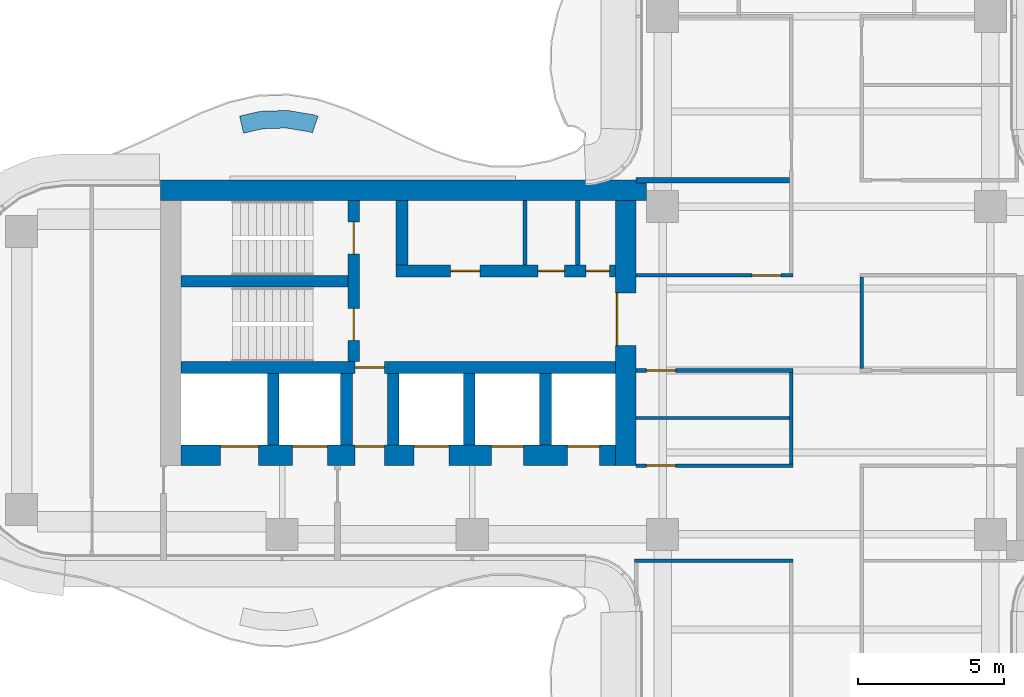
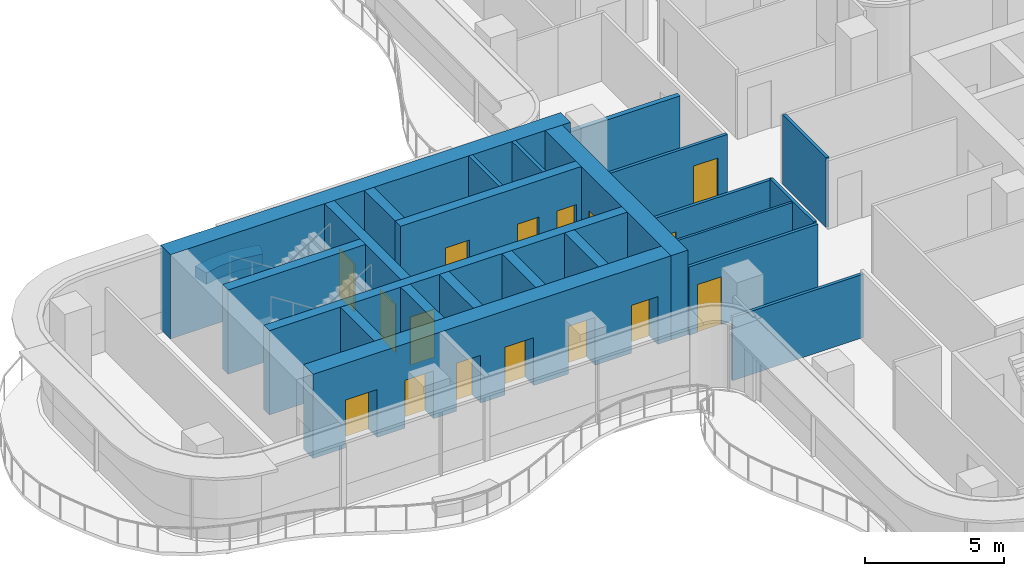
# One storey, part 11 of 16: 24 walls, 16 doors, 16 openings.
"""IFC4 building model written with IfcOpenShell, lengths in metres."""

from ifc_helpers import new_model, si_unit, direction, frame, frame_2d, origin, place, context, subcontext, project, spatial, polyline, rectangle, outline, extrude, source, transform, mapped, material, layer, layer_set, type_object, element, fill, save


model = new_model("IFC4")

# Units and contexts
model_context = context("Model", 3, precision=1e-05, world=origin(), true_north=direction((0.0, 1.0)))
body_context = subcontext(model_context, "Body", "Model", "MODEL_VIEW")
ifc_project = project(units=[si_unit("LENGTHUNIT", "METRE"), si_unit("AREAUNIT", "SQUARE_METRE"), si_unit("VOLUMEUNIT", "CUBIC_METRE"), si_unit("PLANEANGLEUNIT", "RADIAN"), si_unit("MASSUNIT", "GRAM", prefix="KILO")], contexts=[model_context])

# Site, building, storey
site_placement = place(None, origin())
site = spatial("IfcSite", under=ifc_project, at=site_placement, CompositionType="ELEMENT")
building_placement = place(site_placement, origin())
building = spatial("IfcBuilding", under=site, at=building_placement, Name="Trellis Farm Tower", CompositionType="ELEMENT")
storey_placement = place(building_placement, frame((0.0, 0.0, 251.89990234375)))
storey = spatial("IfcBuildingStorey", under=building, at=storey_placement, Name="L56", CompositionType="ELEMENT", Elevation=251.89990234375)

# Wall
ifc_material_1 = material(Name="Sandstone faced masonry planter", Category="masonry")
ifc_layer_1 = layer(ifc_material_1, 0.60009765625)
ifc_layer_set_1 = layer_set([ifc_layer_1], Name="PLANTER BED 600")
wall_type_1 = type_object("IfcWallType", Name="PLANTER BED 600", PredefinedType="USERDEFINED", material=ifc_layer_set_1)
wall_1_placement = place(storey_placement, origin())
element("IfcWall", 1, at=wall_1_placement, inside=storey, type_object=wall_type_1, Name="PLANTER bed", ObjectType="PLANTER", PredefinedType="USERDEFINED", context=body_context, shape_type="SweptSolid", body=[
    extrude(outline(polyline([(-19.339599609375, 8.85400390625), (-18.4169921875, 8.884521484375), (-17.521484375, 8.735595703125), (-17.368896484375, 8.684326171875), (-17.56005859375, 8.115478515625), (-17.667236328125, 8.151611328125), (-18.456787109375, 8.282958984375), (-19.262451171875, 8.256103515625), (-19.9169921875, 8.107421875), (-20.050048828125, 8.6923828125), (-19.339599609375, 8.85400390625)])), origin(), (0.0, 0.0, 1.0), 0.5),
])

# Wall, opening, door
ifc_material_2 = material(Name="Concrete C60/75", Category="concrete")
ifc_layer_2 = layer(ifc_material_2, 0.699951171875)
ifc_layer_set_2 = layer_set([ifc_layer_2], Name="CORE OUTER WALL 700 CONCRETE C60/75")
wall_type_2 = type_object("IfcWallType", Name="CORE OUTER WALL 700 CONCRETE C60/75", PredefinedType="SHEAR", material=ifc_layer_set_2)
shared_shape_1 = source(origin(), body_context, "Body", "SweptSolid", [
    extrude(rectangle(XDim=9.050048828125, YDim=0.699951171875, at=frame_2d((4.52490234375, 0.0))), origin(), (0.0, 0.0, 1.0), 3.7001953125),
])
wall_2_placement = place(storey_placement, frame((-6.85009765625, 5.800048828125, 0.0), z_axis=(0.0, 0.0, 1.0), x_axis=(0.0, -1.0, 0.0)))
wall_2 = element("IfcWall", 2, at=wall_2_placement, inside=storey, type_object=wall_type_2, Name="Core wall", PredefinedType="SHEAR", context=body_context, shape_type="MappedRepresentation", body=[
    mapped(shared_shape_1, transform((0.0, 0.0, 0.0))),
])
shared_shape_2 = source(origin(), body_context, "Body", "SweptSolid", [
    extrude(rectangle(XDim=1.800048828125, YDim=2.10009765625, at=frame_2d((0.89990234375, 1.050048828125))), frame((0.0, 0.360107421875, 0.0), z_axis=(0.0, -1.0, 0.0), x_axis=(1.0, 0.0, 0.0)), (0.0, 0.0, 1.0), 0.72021484375),
])
opening_1_placement = place(wall_2_placement, frame((3.14990234375, 0.0, 0.0)))
opening_1 = element("IfcOpeningElement", 3, at=opening_1_placement, cuts=wall_2, Name="Opening DC87", PredefinedType="OPENING", context=body_context, shape_type="MappedRepresentation", body=[
    mapped(shared_shape_2, transform((0.0, 0.0, 0.0))),
])
ifc_material_3 = material(Name="Steel", Category="steel")
door_type_1 = type_object("IfcDoorType", Name="CORE FIRE DOOR DOUBLE 1800 X 2100", OperationType="DOUBLE_DOOR_SINGLE_SWING", PredefinedType="DOOR", material=ifc_material_3)
shared_shape_3 = source(origin(), body_context, "Body", "SweptSolid", [
    extrude(rectangle(XDim=1.800048828125, YDim=2.10009765625, at=frame_2d((0.89990234375, 1.050048828125))), frame((0.0, -0.27490234375, 0.0), z_axis=(0.0, -1.0, 0.0), x_axis=(1.0, 0.0, 0.0)), (0.0, 0.0, 1.0), 0.050048828125),
])
door_1_placement = place(opening_1_placement, origin())
door_1 = element("IfcDoor", 4, at=door_1_placement, inside=storey, type_object=door_type_1, Name="Core door", OperationType="DOUBLE_DOOR_SINGLE_SWING", OverallHeight=2.10009765625, OverallWidth=1.800048828125, PredefinedType="DOOR", context=body_context, shape_type="MappedRepresentation", body=[
    mapped(shared_shape_3, transform((0.0, 0.0, 0.0))),
])
fill(opening_1, door_1)

# Walls
ifc_layer_3 = layer(ifc_material_2, 0.39990234375)
ifc_layer_set_3 = layer_set([ifc_layer_3], Name="CORE INNER WALL 400 CONCRETE C60/75")
wall_type_3 = type_object("IfcWallType", Name="CORE INNER WALL 400 CONCRETE C60/75", PredefinedType="SHEAR", material=ifc_layer_set_3)
shared_shape_4 = source(origin(), body_context, "Body", "SweptSolid", [
    extrude(rectangle(XDim=2.449951171875, YDim=0.39990234375, at=frame_2d((1.22509765625, 0.0))), origin(), (0.0, 0.0, 1.0), 3.7001953125),
])
for number, where, z_axis, x_axis, name in (
    (5, (-9.60009765625, -0.10009765625, 0.0), (0.0, 0.0, 1.0), (0.0, -1.0, 0.0), "Core wall"),
    (6, (-12.199951171875, -0.10009765625, 0.0), (0.0, 0.0, 1.0), (0.0, -1.0, 0.0), "Core wall"),
    (7, (-14.800048828125, -0.10009765625, 0.0), (0.0, 0.0, 1.0), (0.0, -1.0, 0.0), "Core wall"),
    (8, (-16.39990234375, -0.10009765625, 0.0), (0.0, 0.0, 1.0), (0.0, -1.0, 0.0), "Core wall"),
    (9, (-18.89990234375, -0.10009765625, 0.0), (0.0, 0.0, 1.0), (0.0, -1.0, 0.0), "Core wall"),
):
    element("IfcWall", number, at=place(storey_placement, frame(where, z_axis=z_axis, x_axis=x_axis)), inside=storey, type_object=wall_type_3, Name=name, PredefinedType="SHEAR", context=body_context, shape_type="MappedRepresentation", body=[
        mapped(shared_shape_4, transform((0.0, 0.0, 0.0))),
    ])

# Wall, openings, doors
shared_shape_5 = source(origin(), body_context, "Body", "SweptSolid", [
    extrude(rectangle(XDim=14.85009765625, YDim=0.699951171875, at=frame_2d((7.425048828125, 0.0))), origin(), (0.0, 0.0, 1.0), 3.7001953125),
])
wall_3_placement = place(storey_placement, frame((-7.199951171875, -2.89990234375, 0.0), z_axis=(0.0, 0.0, 1.0), x_axis=(-1.0, 0.0, 0.0)))
wall_3 = element("IfcWall", 10, at=wall_3_placement, inside=storey, type_object=wall_type_2, Name="Core wall", PredefinedType="SHEAR", context=body_context, shape_type="MappedRepresentation", body=[
    mapped(shared_shape_5, transform((0.0, 0.0, 0.0))),
])
shared_shape_6 = source(origin(), body_context, "Body", "SweptSolid", [
    extrude(rectangle(XDim=1.10009765625, YDim=2.10009765625, at=frame_2d((0.550048828125, 1.050048828125))), frame((0.0, 0.360107421875, 0.0), z_axis=(0.0, -1.0, 0.0), x_axis=(1.0, 0.0, 0.0)), (0.0, 0.0, 1.0), 0.72021484375),
])
opening_2_placement = place(wall_3_placement, frame((0.550048828125, 0.0, 0.0)))
opening_2 = element("IfcOpeningElement", 11, at=opening_2_placement, cuts=wall_3, Name="Opening LD12", PredefinedType="OPENING", context=body_context, shape_type="MappedRepresentation", body=[
    mapped(shared_shape_6, transform((0.0, 0.0, 0.0))),
])
opening_3_placement = place(wall_3_placement, frame((3.14990234375, 0.0, 0.0)))
opening_3 = element("IfcOpeningElement", 12, at=opening_3_placement, cuts=wall_3, Name="Opening LD13", PredefinedType="OPENING", context=body_context, shape_type="MappedRepresentation", body=[
    mapped(shared_shape_6, transform((0.0, 0.0, 0.0))),
])
shared_shape_7 = source(origin(), body_context, "Body", "SweptSolid", [
    extrude(rectangle(XDim=1.199951171875, YDim=2.10009765625, at=frame_2d((0.60009765625, 1.050048828125))), frame((0.0, 0.360107421875, 0.0), z_axis=(0.0, -1.0, 0.0), x_axis=(1.0, 0.0, 0.0)), (0.0, 0.0, 1.0), 0.72021484375),
])
opening_4_placement = place(wall_3_placement, frame((5.699951171875, 0.0, 0.0)))
opening_4 = element("IfcOpeningElement", 13, at=opening_4_placement, cuts=wall_3, Name="Opening LD14", PredefinedType="OPENING", context=body_context, shape_type="MappedRepresentation", body=[
    mapped(shared_shape_7, transform((0.0, 0.0, 0.0))),
])
shared_shape_8 = source(origin(), body_context, "Body", "SweptSolid", [
    extrude(rectangle(XDim=1.300048828125, YDim=2.10009765625, at=frame_2d((0.64990234375, 1.050048828125))), frame((0.0, 0.360107421875, 0.0), z_axis=(0.0, -1.0, 0.0), x_axis=(1.0, 0.0, 0.0)), (0.0, 0.0, 1.0), 0.72021484375),
])
opening_5_placement = place(wall_3_placement, frame((12.199951171875, 0.0, 0.0)))
opening_5 = element("IfcOpeningElement", 14, at=opening_5_placement, cuts=wall_3, Name="Opening LD15", PredefinedType="OPENING", context=body_context, shape_type="MappedRepresentation", body=[
    mapped(shared_shape_8, transform((0.0, 0.0, 0.0))),
])
opening_6_placement = place(wall_3_placement, frame((9.85009765625, 0.0, 0.0)))
opening_6 = element("IfcOpeningElement", 15, at=opening_6_placement, cuts=wall_3, Name="Opening LD16", PredefinedType="OPENING", context=body_context, shape_type="MappedRepresentation", body=[
    mapped(shared_shape_7, transform((0.0, 0.0, 0.0))),
])
shared_shape_9 = source(origin(), body_context, "Body", "SweptSolid", [
    extrude(rectangle(XDim=1.0, YDim=2.10009765625, at=frame_2d((0.5, 1.050048828125))), frame((0.0, 0.360107421875, 0.0), z_axis=(0.0, -1.0, 0.0), x_axis=(1.0, 0.0, 0.0)), (0.0, 0.0, 1.0), 0.72021484375),
])
opening_7_placement = place(wall_3_placement, frame((7.89990234375, 0.0, 0.0)))
opening_7 = element("IfcOpeningElement", 16, at=opening_7_placement, cuts=wall_3, Name="Opening DC92", PredefinedType="OPENING", context=body_context, shape_type="MappedRepresentation", body=[
    mapped(shared_shape_9, transform((0.0, 0.0, 0.0))),
])
door_type_2 = type_object("IfcDoorType", Name="CORE FIRE DOOR 1000 X 2100", OperationType="NOTDEFINED", PredefinedType="DOOR", material=ifc_material_3)
shared_shape_10 = source(origin(), body_context, "Body", "SweptSolid", [
    extrude(rectangle(XDim=1.0, YDim=2.10009765625, at=frame_2d((0.5, 1.050048828125))), frame((0.0, -0.27490234375, 0.0), z_axis=(0.0, -1.0, 0.0), x_axis=(1.0, 0.0, 0.0)), (0.0, 0.0, 1.0), 0.050048828125),
])
door_2_placement = place(opening_7_placement, origin())
door_2 = element("IfcDoor", 17, at=door_2_placement, inside=storey, type_object=door_type_2, Name="Core door", OperationType="SINGLE_SWING_LEFT", OverallHeight=2.10009765625, OverallWidth=1.0, PredefinedType="DOOR", context=body_context, shape_type="MappedRepresentation", body=[
    mapped(shared_shape_10, transform((0.0, 0.0, 0.0))),
])
fill(opening_7, door_2)
ifc_material_4 = material(Name="Stainless steel", Category="steel")
door_type_3 = type_object("IfcDoorType", Name="LIFT LANDING DOOR 1300 X 2100", OperationType="DOUBLE_DOOR_SLIDING", PredefinedType="DOOR", material=ifc_material_4)
shared_shape_11 = source(origin(), body_context, "Body", "SweptSolid", [
    extrude(rectangle(XDim=1.300048828125, YDim=2.10009765625, at=frame_2d((0.64990234375, 1.050048828125))), frame((0.0, -0.27490234375, 0.0), z_axis=(0.0, -1.0, 0.0), x_axis=(1.0, 0.0, 0.0)), (0.0, 0.0, 1.0), 0.050048828125),
])
door_3_placement = place(opening_5_placement, origin())
door_3 = element("IfcDoor", 18, at=door_3_placement, inside=storey, type_object=door_type_3, Name="Lift landing door", OperationType="DOUBLE_DOOR_SLIDING", OverallHeight=2.10009765625, OverallWidth=1.300048828125, PredefinedType="DOOR", context=body_context, shape_type="MappedRepresentation", body=[
    mapped(shared_shape_11, transform((0.0, 0.0, 0.0))),
])
fill(opening_5, door_3)
door_type_4 = type_object("IfcDoorType", Name="LIFT LANDING DOOR 1200 X 2100", OperationType="DOUBLE_DOOR_SLIDING", PredefinedType="DOOR", material=ifc_material_4)
shared_shape_12 = source(origin(), body_context, "Body", "SweptSolid", [
    extrude(rectangle(XDim=1.199951171875, YDim=2.10009765625, at=frame_2d((0.60009765625, 1.050048828125))), frame((0.0, -0.27490234375, 0.0), z_axis=(0.0, -1.0, 0.0), x_axis=(1.0, 0.0, 0.0)), (0.0, 0.0, 1.0), 0.050048828125),
])
door_4_placement = place(opening_4_placement, origin())
door_4 = element("IfcDoor", 19, at=door_4_placement, inside=storey, type_object=door_type_4, Name="Lift landing door", OperationType="DOUBLE_DOOR_SLIDING", OverallHeight=2.10009765625, OverallWidth=1.199951171875, PredefinedType="DOOR", context=body_context, shape_type="MappedRepresentation", body=[
    mapped(shared_shape_12, transform((0.0, 0.0, 0.0))),
])
fill(opening_4, door_4)
door_5_placement = place(opening_6_placement, origin())
door_5 = element("IfcDoor", 20, at=door_5_placement, inside=storey, type_object=door_type_4, Name="Lift landing door", OperationType="DOUBLE_DOOR_SLIDING", OverallHeight=2.10009765625, OverallWidth=1.199951171875, PredefinedType="DOOR", context=body_context, shape_type="MappedRepresentation", body=[
    mapped(shared_shape_12, transform((0.0, 0.0, 0.0))),
])
fill(opening_6, door_5)
door_type_5 = type_object("IfcDoorType", Name="LIFT LANDING DOOR 1100 X 2100", OperationType="DOUBLE_DOOR_SLIDING", PredefinedType="DOOR", material=ifc_material_4)
shared_shape_13 = source(origin(), body_context, "Body", "SweptSolid", [
    extrude(rectangle(XDim=1.10009765625, YDim=2.10009765625, at=frame_2d((0.550048828125, 1.050048828125))), frame((0.0, -0.27490234375, 0.0), z_axis=(0.0, -1.0, 0.0), x_axis=(1.0, 0.0, 0.0)), (0.0, 0.0, 1.0), 0.050048828125),
])
door_6_placement = place(opening_2_placement, origin())
door_6 = element("IfcDoor", 21, at=door_6_placement, inside=storey, type_object=door_type_5, Name="Lift landing door", OperationType="DOUBLE_DOOR_SLIDING", OverallHeight=2.10009765625, OverallWidth=1.10009765625, PredefinedType="DOOR", context=body_context, shape_type="MappedRepresentation", body=[
    mapped(shared_shape_13, transform((0.0, 0.0, 0.0))),
])
fill(opening_2, door_6)
door_7_placement = place(opening_3_placement, origin())
door_7 = element("IfcDoor", 22, at=door_7_placement, inside=storey, type_object=door_type_5, Name="Lift landing door", OperationType="DOUBLE_DOOR_SLIDING", OverallHeight=2.10009765625, OverallWidth=1.10009765625, PredefinedType="DOOR", context=body_context, shape_type="MappedRepresentation", body=[
    mapped(shared_shape_13, transform((0.0, 0.0, 0.0))),
])
fill(opening_3, door_7)

shared_shape_14 = source(origin(), body_context, "Body", "SweptSolid", [
    extrude(rectangle(XDim=7.5, YDim=0.39990234375, at=frame_2d((3.75, 0.0))), origin(), (0.0, 0.0, 1.0), 3.7001953125),
])
wall_4_placement = place(storey_placement, frame((-7.199951171875, 3.39990234375, 0.0), z_axis=(0.0, 0.0, 1.0), x_axis=(-1.0, 0.0, 0.0)))
wall_4 = element("IfcWall", 23, at=wall_4_placement, inside=storey, type_object=wall_type_3, Name="Core wall", PredefinedType="SHEAR", context=body_context, shape_type="MappedRepresentation", body=[
    mapped(shared_shape_14, transform((0.0, 0.0, 0.0))),
])
shared_shape_15 = source(origin(), body_context, "Body", "SweptSolid", [
    extrude(rectangle(XDim=0.800048828125, YDim=2.10009765625, at=frame_2d((0.39990234375, 1.050048828125))), frame((0.0, 0.2099609375, 0.0), z_axis=(0.0, -1.0, 0.0), x_axis=(1.0, 0.0, 0.0)), (0.0, 0.0, 1.0), 0.419921875),
])
opening_8_placement = place(wall_4_placement, frame((0.21240234375, 0.0, 0.0)))
opening_8 = element("IfcOpeningElement", 24, at=opening_8_placement, cuts=wall_4, Name="Opening DC137", PredefinedType="OPENING", context=body_context, shape_type="MappedRepresentation", body=[
    mapped(shared_shape_15, transform((0.0, 0.0, 0.0))),
])
shared_shape_16 = source(origin(), body_context, "Body", "SweptSolid", [
    extrude(rectangle(XDim=0.89990234375, YDim=2.10009765625, at=frame_2d((0.449951171875, 1.050048828125))), frame((0.0, 0.2099609375, 0.0), z_axis=(0.0, -1.0, 0.0), x_axis=(1.0, 0.0, 0.0)), (0.0, 0.0, 1.0), 0.419921875),
])
opening_9_placement = place(wall_4_placement, frame((1.75, 0.0, 0.0)))
opening_9 = element("IfcOpeningElement", 25, at=opening_9_placement, cuts=wall_4, Name="Opening DC146", PredefinedType="OPENING", context=body_context, shape_type="MappedRepresentation", body=[
    mapped(shared_shape_16, transform((0.0, 0.0, 0.0))),
])
shared_shape_17 = source(origin(), body_context, "Body", "SweptSolid", [
    extrude(rectangle(XDim=1.0, YDim=2.10009765625, at=frame_2d((0.5, 1.050048828125))), frame((0.0, 0.2099609375, 0.0), z_axis=(0.0, -1.0, 0.0), x_axis=(1.0, 0.0, 0.0)), (0.0, 0.0, 1.0), 0.419921875),
])
opening_10_placement = place(wall_4_placement, frame((4.637451171875, 0.0, 0.0)))
opening_10 = element("IfcOpeningElement", 26, at=opening_10_placement, cuts=wall_4, Name="Opening DC153", PredefinedType="OPENING", context=body_context, shape_type="MappedRepresentation", body=[
    mapped(shared_shape_17, transform((0.0, 0.0, 0.0))),
])
shared_shape_18 = source(origin(), body_context, "Body", "SweptSolid", [
    extrude(rectangle(XDim=1.0, YDim=2.10009765625, at=frame_2d((0.5, 1.050048828125))), frame((0.0, 0.02490234375, 0.0), z_axis=(0.0, -1.0, 0.0), x_axis=(1.0, 0.0, 0.0)), (0.0, 0.0, 1.0), 0.050048828125),
])
door_8_placement = place(opening_10_placement, origin())
door_8 = element("IfcDoor", 27, at=door_8_placement, inside=storey, type_object=door_type_2, Name="Core door", OperationType="SINGLE_SWING_LEFT", OverallHeight=2.10009765625, OverallWidth=1.0, PredefinedType="DOOR", context=body_context, shape_type="MappedRepresentation", body=[
    mapped(shared_shape_18, transform((0.0, 0.0, 0.0))),
])
fill(opening_10, door_8)
door_type_6 = type_object("IfcDoorType", Name="CORE FIRE DOOR 900 X 2100", OperationType="NOTDEFINED", PredefinedType="DOOR", material=ifc_material_3)
shared_shape_19 = source(origin(), body_context, "Body", "SweptSolid", [
    extrude(rectangle(XDim=0.89990234375, YDim=2.10009765625, at=frame_2d((0.449951171875, 1.050048828125))), frame((0.0, 0.02490234375, 0.0), z_axis=(0.0, -1.0, 0.0), x_axis=(1.0, 0.0, 0.0)), (0.0, 0.0, 1.0), 0.050048828125),
])
door_9_placement = place(opening_9_placement, origin())
door_9 = element("IfcDoor", 28, at=door_9_placement, inside=storey, type_object=door_type_6, Name="Core door", OperationType="SINGLE_SWING_RIGHT", OverallHeight=2.10009765625, OverallWidth=0.89990234375, PredefinedType="DOOR", context=body_context, shape_type="MappedRepresentation", body=[
    mapped(shared_shape_19, transform((0.0, 0.0, 0.0))),
])
fill(opening_9, door_9)
door_type_7 = type_object("IfcDoorType", Name="CORE FIRE DOOR 800 X 2100", OperationType="NOTDEFINED", PredefinedType="DOOR", material=ifc_material_3)
shared_shape_20 = source(origin(), body_context, "Body", "SweptSolid", [
    extrude(rectangle(XDim=0.800048828125, YDim=2.10009765625, at=frame_2d((0.39990234375, 1.050048828125))), frame((0.0, 0.02490234375, 0.0), z_axis=(0.0, -1.0, 0.0), x_axis=(1.0, 0.0, 0.0)), (0.0, 0.0, 1.0), 0.050048828125),
])
door_10_placement = place(opening_8_placement, origin())
door_10 = element("IfcDoor", 29, at=door_10_placement, inside=storey, type_object=door_type_7, Name="Core door", OperationType="SINGLE_SWING_LEFT", OverallHeight=2.10009765625, OverallWidth=0.800048828125, PredefinedType="DOOR", context=body_context, shape_type="MappedRepresentation", body=[
    mapped(shared_shape_20, transform((0.0, 0.0, 0.0))),
])
fill(opening_8, door_10)

# Wall, opening, door
shared_shape_21 = source(origin(), body_context, "Body", "SweptSolid", [
    extrude(rectangle(XDim=14.85009765625, YDim=0.39990234375, at=frame_2d((7.425048828125, 0.0))), origin(), (0.0, 0.0, 1.0), 3.7001953125),
])
wall_5_placement = place(storey_placement, frame((-7.199951171875, 0.10009765625, 0.0), z_axis=(0.0, 0.0, 1.0), x_axis=(-1.0, 0.0, 0.0)))
wall_5 = element("IfcWall", 30, at=wall_5_placement, inside=storey, type_object=wall_type_3, Name="Core wall", PredefinedType="SHEAR", context=body_context, shape_type="MappedRepresentation", body=[
    mapped(shared_shape_21, transform((0.0, 0.0, 0.0))),
])
opening_11_placement = place(wall_5_placement, frame((7.89990234375, 0.0, 0.0)))
opening_11 = element("IfcOpeningElement", 31, at=opening_11_placement, cuts=wall_5, Name="Opening DC91", PredefinedType="OPENING", context=body_context, shape_type="MappedRepresentation", body=[
    mapped(shared_shape_17, transform((0.0, 0.0, 0.0))),
])
door_11_placement = place(opening_11_placement, origin())
door_11 = element("IfcDoor", 32, at=door_11_placement, inside=storey, type_object=door_type_2, Name="Core door", OperationType="SINGLE_SWING_RIGHT", OverallHeight=2.10009765625, OverallWidth=1.0, PredefinedType="DOOR", context=body_context, shape_type="MappedRepresentation", body=[
    mapped(shared_shape_18, transform((0.0, 0.0, 0.0))),
])
fill(opening_11, door_11)

# Wall, openings, doors
shared_shape_22 = source(origin(), body_context, "Body", "SweptSolid", [
    extrude(rectangle(XDim=5.5, YDim=0.39990234375, at=frame_2d((2.75, 0.0))), origin(), (0.0, 0.0, 1.0), 3.7001953125),
])
wall_6_placement = place(storey_placement, frame((-16.14990234375, 5.800048828125, 0.0), z_axis=(0.0, 0.0, 1.0), x_axis=(0.0, -1.0, 0.0)))
wall_6 = element("IfcWall", 33, at=wall_6_placement, inside=storey, type_object=wall_type_3, Name="Core wall", PredefinedType="SHEAR", context=body_context, shape_type="MappedRepresentation", body=[
    mapped(shared_shape_22, transform((0.0, 0.0, 0.0))),
])
shared_shape_23 = source(origin(), body_context, "Body", "SweptSolid", [
    extrude(rectangle(XDim=1.10009765625, YDim=2.10009765625, at=frame_2d((0.550048828125, 1.050048828125))), frame((0.0, 0.2099609375, 0.0), z_axis=(0.0, -1.0, 0.0), x_axis=(1.0, 0.0, 0.0)), (0.0, 0.0, 1.0), 0.419921875),
])
opening_12_placement = place(wall_6_placement, frame((0.72509765625, 0.0, 0.0)))
opening_12 = element("IfcOpeningElement", 34, at=opening_12_placement, cuts=wall_6, Name="Opening DC88", PredefinedType="OPENING", context=body_context, shape_type="MappedRepresentation", body=[
    mapped(shared_shape_23, transform((0.0, 0.0, 0.0))),
])
opening_13_placement = place(wall_6_placement, frame((3.675048828125, 0.0, 0.0)))
opening_13 = element("IfcOpeningElement", 35, at=opening_13_placement, cuts=wall_6, Name="Opening DC89", PredefinedType="OPENING", context=body_context, shape_type="MappedRepresentation", body=[
    mapped(shared_shape_23, transform((0.0, 0.0, 0.0))),
])
door_type_8 = type_object("IfcDoorType", Name="CORE FIRE DOOR 1100 X 2100", OperationType="NOTDEFINED", PredefinedType="DOOR", material=ifc_material_3)
shared_shape_24 = source(origin(), body_context, "Body", "SweptSolid", [
    extrude(rectangle(XDim=1.10009765625, YDim=2.10009765625, at=frame_2d((0.550048828125, 1.050048828125))), frame((0.0, 0.02490234375, 0.0), z_axis=(0.0, -1.0, 0.0), x_axis=(1.0, 0.0, 0.0)), (0.0, 0.0, 1.0), 0.050048828125),
])
door_12_placement = place(opening_12_placement, origin())
door_12 = element("IfcDoor", 36, at=door_12_placement, inside=storey, type_object=door_type_8, Name="Core door", OperationType="SINGLE_SWING_RIGHT", OverallHeight=2.10009765625, OverallWidth=1.10009765625, PredefinedType="DOOR", context=body_context, shape_type="MappedRepresentation", body=[
    mapped(shared_shape_24, transform((0.0, 0.0, 0.0))),
])
fill(opening_12, door_12)
door_13_placement = place(opening_13_placement, origin())
door_13 = element("IfcDoor", 37, at=door_13_placement, inside=storey, type_object=door_type_8, Name="Core door", OperationType="SINGLE_SWING_LEFT", OverallHeight=2.10009765625, OverallWidth=1.10009765625, PredefinedType="DOOR", context=body_context, shape_type="MappedRepresentation", body=[
    mapped(shared_shape_24, transform((0.0, 0.0, 0.0))),
])
fill(opening_13, door_13)

# Walls
shared_shape_25 = source(origin(), body_context, "Body", "SweptSolid", [
    extrude(rectangle(XDim=5.699951171875, YDim=0.39990234375, at=frame_2d((2.85009765625, 0.0))), origin(), (0.0, 0.0, 1.0), 3.7001953125),
])
wall_7_placement = place(storey_placement, frame((-16.35009765625, 3.050048828125, 0.0), z_axis=(0.0, 0.0, 1.0), x_axis=(-1.0, 0.0, 0.0)))
element("IfcWall", 38, at=wall_7_placement, inside=storey, type_object=wall_type_3, Name="Core wall", PredefinedType="SHEAR", context=body_context, shape_type="MappedRepresentation", body=[
    mapped(shared_shape_25, transform((0.0, 0.0, 0.0))),
])
shared_shape_26 = source(origin(), body_context, "Body", "SweptSolid", [
    extrude(rectangle(XDim=2.199951171875, YDim=0.39990234375, at=frame_2d((1.10009765625, 0.0))), origin(), (0.0, 0.0, 1.0), 3.7001953125),
])
wall_8_placement = place(storey_placement, frame((-14.5, 5.800048828125, 0.0), z_axis=(0.0, 0.0, 1.0), x_axis=(0.0, -1.0, 0.0)))
element("IfcWall", 39, at=wall_8_placement, inside=storey, type_object=wall_type_3, Name="Core wall", PredefinedType="SHEAR", context=body_context, shape_type="MappedRepresentation", body=[
    mapped(shared_shape_26, transform((0.0, 0.0, 0.0))),
])
ifc_material_5 = material(Name="Masonry blockwork", Category="masonry")
ifc_layer_4 = layer(ifc_material_5, 0.14990234375)
ifc_layer_set_4 = layer_set([ifc_layer_4], Name="CORE PARTITION 150 BLOCKWORK")
wall_type_4 = type_object("IfcWallType", Name="CORE PARTITION 150 BLOCKWORK", PredefinedType="PARTITIONING", material=ifc_layer_set_4)
shared_shape_27 = source(origin(), body_context, "Body", "SweptSolid", [
    extrude(rectangle(XDim=2.199951171875, YDim=0.14990234375, at=frame_2d((1.10009765625, 0.0))), origin(), (0.0, 0.0, 1.0), 3.7001953125),
])
for number, where, z_axis, x_axis, name in (
    (40, (-8.5, 5.800048828125, 0.0), (0.0, 0.0, 1.0), (0.0, -1.0, 0.0), "Core room partition"),
    (41, (-10.300048828125, 5.800048828125, 0.0), (0.0, 0.0, 1.0), (0.0, -1.0, 0.0), "Core room partition"),
):
    element("IfcWall", number, at=place(storey_placement, frame(where, z_axis=z_axis, x_axis=x_axis)), inside=storey, type_object=wall_type_4, Name=name, PredefinedType="PARTITIONING", context=body_context, shape_type="MappedRepresentation", body=[
        mapped(shared_shape_27, transform((0.0, 0.0, 0.0))),
    ])
shared_shape_28 = source(origin(), body_context, "Body", "SweptSolid", [
    extrude(rectangle(XDim=16.60009765625, YDim=0.699951171875, at=frame_2d((8.300048828125, 0.0))), origin(), (0.0, 0.0, 1.0), 3.7001953125),
])
wall_9_placement = place(storey_placement, frame((-6.14990234375, 6.14990234375, 0.0), z_axis=(0.0, 0.0, 1.0), x_axis=(-1.0, 0.0, 0.0)))
element("IfcWall", 42, at=wall_9_placement, inside=storey, type_object=wall_type_2, Name="Core wall", PredefinedType="SHEAR", context=body_context, shape_type="MappedRepresentation", body=[
    mapped(shared_shape_28, transform((0.0, 0.0, 0.0))),
])
ifc_material_6 = material(Name="Plasterboard on steel studs, mineral wool", Category="steel")
ifc_layer_5 = layer(ifc_material_6, 0.125)
ifc_layer_set_5 = layer_set([ifc_layer_5], Name="PARTITION 125 STUD EI 60")
wall_type_5 = type_object("IfcWallType", Name="PARTITION 125 STUD EI 60", PredefinedType="PARTITIONING", material=ifc_layer_set_5)
shared_shape_29 = source(origin(), body_context, "Body", "SweptSolid", [
    extrude(rectangle(XDim=3.125, YDim=0.125, at=frame_2d((1.5625, 0.0))), origin(), (0.0, 0.0, 1.0), 3.06787109375),
])
for number, where, z_axis, x_axis, name in (
    (43, (-1.199951171875, -0.0625, 0.0), (0.0, 0.0, 1.0), (0.0, -1.0, 0.0), "Partition PW1"),
    (44, (1.199951171875, 3.1875, 0.0), (0.0, 0.0, 1.0), (0.0, -1.0, 0.0), "Partition PW1"),
):
    element("IfcWall", number, at=place(storey_placement, frame(where, z_axis=z_axis, x_axis=x_axis)), inside=storey, type_object=wall_type_5, Name=name, PredefinedType="PARTITIONING", context=body_context, shape_type="MappedRepresentation", body=[
        mapped(shared_shape_29, transform((0.0, 0.0, 0.0))),
    ])

# Wall, opening, door
shared_shape_30 = source(origin(), body_context, "Body", "SweptSolid", [
    extrude(rectangle(XDim=5.362548828125, YDim=0.125, at=frame_2d((2.68115234375, 0.0))), origin(), (0.0, 0.0, 1.0), 2.99658203125),
])
wall_10_placement = place(storey_placement, frame((-1.137451171875, -3.25, 0.0), z_axis=(0.0, 0.0, 1.0), x_axis=(-1.0, 0.0, 0.0)))
wall_10 = element("IfcWall", 45, at=wall_10_placement, inside=storey, type_object=wall_type_5, Name="Partition PW1", PredefinedType="PARTITIONING", context=body_context, shape_type="MappedRepresentation", body=[
    mapped(shared_shape_30, transform((0.0, 0.0, 0.0))),
])
shared_shape_31 = source(origin(), body_context, "Body", "SweptSolid", [
    extrude(rectangle(XDim=1.0, YDim=2.10009765625, at=frame_2d((0.5, 1.050048828125))), frame((0.0, 0.072509765625, 0.0), z_axis=(0.0, -1.0, 0.0), x_axis=(1.0, 0.0, 0.0)), (0.0, 0.0, 1.0), 0.14501953125),
])
opening_14_placement = place(wall_10_placement, frame((4.012451171875, 0.0, 0.0)))
opening_14 = element("IfcOpeningElement", 46, at=opening_14_placement, cuts=wall_10, Name="Opening D101", PredefinedType="OPENING", context=body_context, shape_type="MappedRepresentation", body=[
    mapped(shared_shape_31, transform((0.0, 0.0, 0.0))),
])
ifc_material_7 = material(Name="Fire-rated timber door leaf in a hollow metal frame", Category="wood")
door_type_9 = type_object("IfcDoorType", Name="DOOR 1000x2100 FD30S", OperationType="NOTDEFINED", PredefinedType="DOOR", material=ifc_material_7)
door_14_placement = place(opening_14_placement, origin())
door_14 = element("IfcDoor", 47, at=door_14_placement, inside=storey, type_object=door_type_9, Name="Door D101", OperationType="SINGLE_SWING_RIGHT", OverallHeight=2.10009765625, OverallWidth=1.0, PredefinedType="DOOR", context=body_context, shape_type="MappedRepresentation", body=[
    mapped(shared_shape_18, transform((0.0, 0.0, 0.0))),
])
fill(opening_14, door_14)

wall_11_placement = place(storey_placement, frame((-1.137451171875, 0.0, 0.0), z_axis=(0.0, 0.0, 1.0), x_axis=(-1.0, 0.0, 0.0)))
wall_11 = element("IfcWall", 48, at=wall_11_placement, inside=storey, type_object=wall_type_5, Name="Partition PW1", PredefinedType="PARTITIONING", context=body_context, shape_type="MappedRepresentation", body=[
    mapped(shared_shape_30, transform((0.0, 0.0, 0.0))),
])
opening_15_placement = place(wall_11_placement, frame((4.012451171875, 0.0, 0.0)))
opening_15 = element("IfcOpeningElement", 49, at=opening_15_placement, cuts=wall_11, Name="Opening D102", PredefinedType="OPENING", context=body_context, shape_type="MappedRepresentation", body=[
    mapped(shared_shape_31, transform((0.0, 0.0, 0.0))),
])
door_15_placement = place(opening_15_placement, origin())
door_15 = element("IfcDoor", 50, at=door_15_placement, inside=storey, type_object=door_type_9, Name="Door D102", OperationType="SINGLE_SWING_RIGHT", OverallHeight=2.10009765625, OverallWidth=1.0, PredefinedType="DOOR", context=body_context, shape_type="MappedRepresentation", body=[
    mapped(shared_shape_18, transform((0.0, 0.0, 0.0))),
])
fill(opening_15, door_15)

wall_12_placement = place(storey_placement, frame((-6.5, 3.25, 0.0), z_axis=(0.0, 0.0, 1.0), x_axis=(1.0, 0.0, 0.0)))
wall_12 = element("IfcWall", 51, at=wall_12_placement, inside=storey, type_object=wall_type_5, Name="Partition PW1", PredefinedType="PARTITIONING", context=body_context, shape_type="MappedRepresentation", body=[
    mapped(shared_shape_30, transform((0.0, 0.0, 0.0))),
])
opening_16_placement = place(wall_12_placement, frame((3.949951171875, 0.0, 0.0)))
opening_16 = element("IfcOpeningElement", 52, at=opening_16_placement, cuts=wall_12, Name="Opening D301", PredefinedType="OPENING", context=body_context, shape_type="MappedRepresentation", body=[
    mapped(shared_shape_31, transform((0.0, 0.0, 0.0))),
])
door_type_10 = type_object("IfcDoorType", Name="DOOR 1000x2100 FD60", OperationType="NOTDEFINED", PredefinedType="DOOR", material=ifc_material_7)
door_16_placement = place(opening_16_placement, origin())
door_16 = element("IfcDoor", 53, at=door_16_placement, inside=storey, type_object=door_type_10, Name="Door D301", OperationType="SINGLE_SWING_RIGHT", OverallHeight=2.10009765625, OverallWidth=1.0, PredefinedType="DOOR", context=body_context, shape_type="MappedRepresentation", body=[
    mapped(shared_shape_18, transform((0.0, 0.0, 0.0))),
])
fill(opening_16, door_16)

# Walls
ifc_material_8 = material(Name="Plasterboard on steel studs", Category="steel")
ifc_layer_6 = layer(ifc_material_8, 0.10009765625)
ifc_layer_set_6 = layer_set([ifc_layer_6], Name="PARTITION 100 STUD EI 30")
wall_type_6 = type_object("IfcWallType", Name="PARTITION 100 STUD EI 30", PredefinedType="PARTITIONING", material=ifc_layer_set_6)
shared_shape_32 = source(origin(), body_context, "Body", "SweptSolid", [
    extrude(rectangle(XDim=5.237548828125, YDim=0.10009765625, at=frame_2d((2.61865234375, 0.0))), origin(), (0.0, 0.0, 1.0), 2.99658203125),
])
wall_13_placement = place(storey_placement, frame((-6.5, -1.625, 0.0), z_axis=(0.0, 0.0, 1.0), x_axis=(1.0, 0.0, 0.0)))
element("IfcWall", 54, at=wall_13_placement, inside=storey, type_object=wall_type_6, Name="Partition PW2", PredefinedType="PARTITIONING", context=body_context, shape_type="MappedRepresentation", body=[
    mapped(shared_shape_32, transform((0.0, 0.0, 0.0))),
])
shared_shape_33 = source(origin(), body_context, "Body", "SweptSolid", [
    extrude(rectangle(XDim=5.425048828125, YDim=0.125, at=frame_2d((2.71240234375, 0.0))), origin(), (0.0, 0.0, 1.0), 2.780029296875),
])
wall_14_placement = place(storey_placement, frame((-1.137451171875, -6.5, 0.0), z_axis=(0.0, 0.0, 1.0), x_axis=(-1.0, 0.0, 0.0)))
element("IfcWall", 55, at=wall_14_placement, inside=storey, type_object=wall_type_5, Name="Partition PW1", PredefinedType="PARTITIONING", context=body_context, shape_type="MappedRepresentation", body=[
    mapped(shared_shape_33, transform((0.0, 0.0, 0.0))),
])
ifc_material_9 = material(Name="Lightweight blockwork, plastered", Category="masonry")
ifc_layer_7 = layer(ifc_material_9, 0.199951171875)
ifc_layer_set_7 = layer_set([ifc_layer_7], Name="BLOCK WALL 200 EI 120")
wall_type_7 = type_object("IfcWallType", Name="BLOCK WALL 200 EI 120", PredefinedType="PARTITIONING", material=ifc_layer_set_7)
shared_shape_34 = source(origin(), body_context, "Body", "SweptSolid", [
    extrude(rectangle(XDim=5.237548828125, YDim=0.199951171875, at=frame_2d((2.61865234375, 0.0))), origin(), (0.0, 0.0, 1.0), 2.780029296875),
])
wall_15_placement = place(storey_placement, frame((-6.5, 6.5, 0.0), z_axis=(0.0, 0.0, 1.0), x_axis=(1.0, 0.0, 0.0)))
element("IfcWall", 56, at=wall_15_placement, inside=storey, type_object=wall_type_7, Name="Partition PW3", PredefinedType="PARTITIONING", context=body_context, shape_type="MappedRepresentation", body=[
    mapped(shared_shape_34, transform((0.0, 0.0, 0.0))),
])

save(model, "model.ifc")
